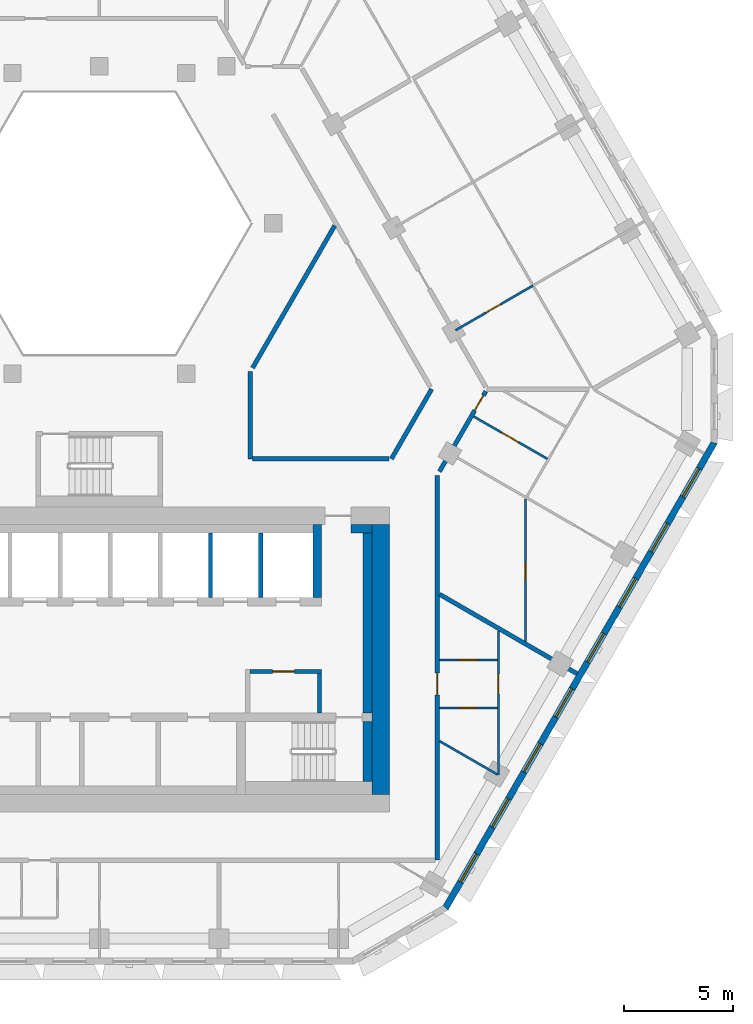
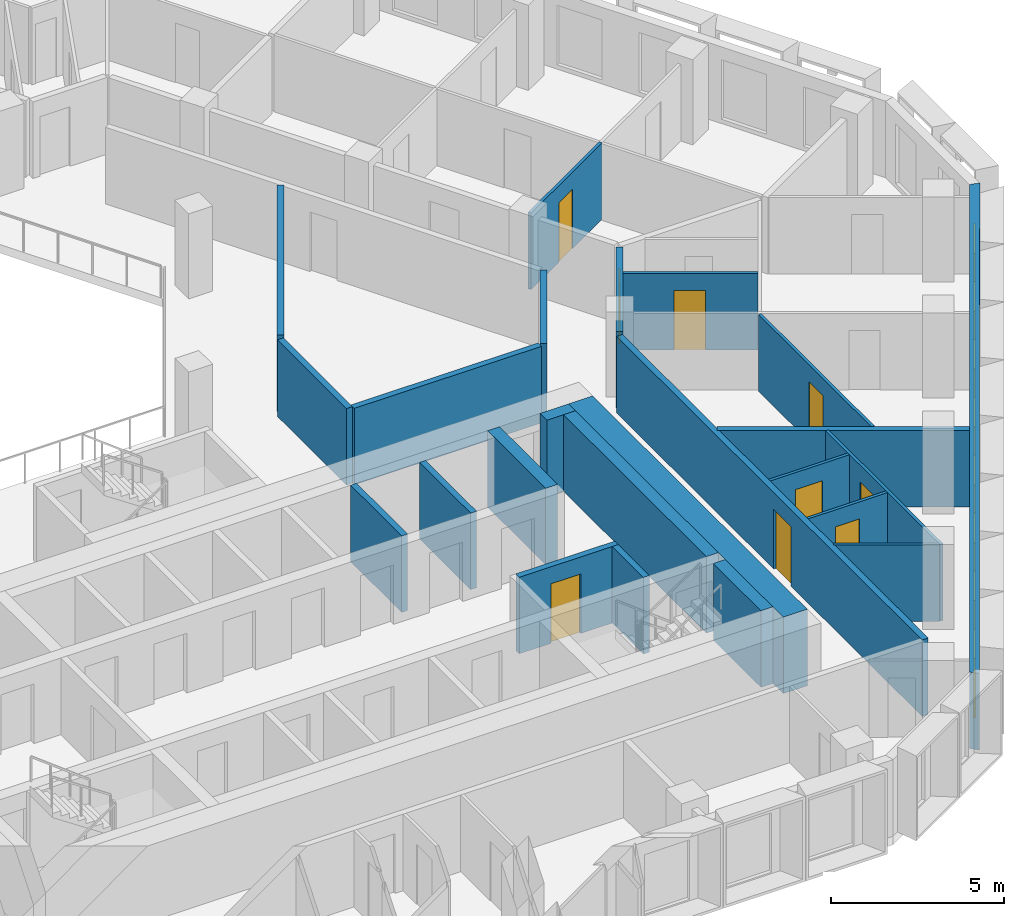
# One storey, part 6 of 17: 24 walls, 9 doors, 8 windows, 17 openings.
"""IFC4 building model written with IfcOpenShell, lengths in metres."""

from ifc_helpers import new_model, si_unit, direction, frame, frame_2d, origin, place, context, subcontext, project, spatial, polyline, rectangle, outline, extrude, material, layer, layer_set, type_object, element, fill, save


model = new_model("IFC4")

# Units and contexts
model_context = context("Model", 3, precision=1e-05, world=origin(), true_north=direction((0.0, 1.0)))
body_context = subcontext(model_context, "Body", "Model", "MODEL_VIEW")
ifc_project = project(units=[si_unit("LENGTHUNIT", "METRE"), si_unit("AREAUNIT", "SQUARE_METRE"), si_unit("VOLUMEUNIT", "CUBIC_METRE"), si_unit("PLANEANGLEUNIT", "RADIAN"), si_unit("MASSUNIT", "GRAM", prefix="KILO")], contexts=[model_context])

# Site, building, storey
site_placement = place(None, origin())
site = spatial("IfcSite", under=ifc_project, at=site_placement, CompositionType="ELEMENT")
building_placement = place(site_placement, origin())
building = spatial("IfcBuilding", under=site, at=building_placement, Name="Beryl Residences", CompositionType="ELEMENT")
storey_placement = place(building_placement, frame((0.0, 0.0, 126.60009765625)))
storey = spatial("IfcBuildingStorey", under=building, at=storey_placement, Name="L38", CompositionType="ELEMENT", Elevation=126.60009765625)

# Wall, openings, windows
ifc_material_1 = material(Name="Composite metal panel with mineral wool insulation")
ifc_layer_1 = layer(ifc_material_1, 0.300048828125)
ifc_layer_set_1 = layer_set([ifc_layer_1], Name="ES1 pale metal composite panel wall 300 mm")
wall_type_1 = type_object("IfcWallType", Name="ES1 pale metal composite panel wall 300 mm", PredefinedType="SOLIDWALL", material=ifc_layer_set_1)
wall_1_placement = place(storey_placement, frame((15.862060546875, -23.425048828125, 0.0), z_axis=(0.0, 0.0, 1.0), x_axis=(0.500017503135, 0.866015298109, 0.0)))
wall_1 = element("IfcWall", 1, at=wall_1_placement, inside=storey, type_object=wall_type_1, Name="ES1 external wall L38 SE", PredefinedType="SOLIDWALL", context=body_context, shape_type="SweptSolid", body=[
    extrude(outline(polyline([(0.0, -0.14990234375), (24.7109375, -0.14990234375), (24.630615234375, 0.14990234375), (0.080322265625, 0.14990234375), (0.0, -0.14990234375)])), origin(), (0.0, 0.0, 1.0), 2.699951171875),
])
opening_1_placement = place(wall_1_placement, frame((1.39990234375, 0.0, 0.14990234375)))
opening_1 = element("IfcOpeningElement", 2, at=opening_1_placement, cuts=wall_1, Name="Opening W1", PredefinedType="OPENING", context=body_context, shape_type="SweptSolid", body=[
    extrude(rectangle(XDim=1.5, YDim=2.10009765625, at=frame_2d((0.75, 1.050048828125))), frame((0.0, 0.159912109375, 0.0), z_axis=(0.0, -1.0, 0.0), x_axis=(1.0, 0.0, 0.0)), (0.0, 0.0, 1.0), 0.320068359375),
])
opening_2_placement = place(wall_1_placement, frame((4.31591796875, 0.0, 0.14990234375)))
opening_2 = element("IfcOpeningElement", 3, at=opening_2_placement, cuts=wall_1, Name="Opening W1", PredefinedType="OPENING", context=body_context, shape_type="SweptSolid", body=[
    extrude(rectangle(XDim=1.5, YDim=2.10009765625, at=frame_2d((0.75, 1.050048828125))), frame((0.0, 0.159912109375, 0.0), z_axis=(0.0, -1.0, 0.0), x_axis=(1.0, 0.0, 0.0)), (0.0, 0.0, 1.0), 0.320068359375),
])
opening_3_placement = place(wall_1_placement, frame((7.23095703125, 0.0, 0.14990234375)))
opening_3 = element("IfcOpeningElement", 4, at=opening_3_placement, cuts=wall_1, Name="Opening W1", PredefinedType="OPENING", context=body_context, shape_type="SweptSolid", body=[
    extrude(rectangle(XDim=1.5, YDim=2.10009765625, at=frame_2d((0.75, 1.050048828125))), frame((0.0, 0.159912109375, 0.0), z_axis=(0.0, -1.0, 0.0), x_axis=(1.0, 0.0, 0.0)), (0.0, 0.0, 1.0), 0.320068359375),
])
opening_4_placement = place(wall_1_placement, frame((10.14697265625, 0.0, 0.14990234375)))
opening_4 = element("IfcOpeningElement", 5, at=opening_4_placement, cuts=wall_1, Name="Opening W1", PredefinedType="OPENING", context=body_context, shape_type="SweptSolid", body=[
    extrude(rectangle(XDim=1.5, YDim=2.10009765625, at=frame_2d((0.75, 1.050048828125))), frame((0.0, 0.159912109375, 0.0), z_axis=(0.0, -1.0, 0.0), x_axis=(1.0, 0.0, 0.0)), (0.0, 0.0, 1.0), 0.320068359375),
])
opening_5_placement = place(wall_1_placement, frame((13.06201171875, 0.0, 0.14990234375)))
opening_5 = element("IfcOpeningElement", 6, at=opening_5_placement, cuts=wall_1, Name="Opening W1", PredefinedType="OPENING", context=body_context, shape_type="SweptSolid", body=[
    extrude(rectangle(XDim=1.5, YDim=2.10009765625, at=frame_2d((0.75, 1.050048828125))), frame((0.0, 0.159912109375, 0.0), z_axis=(0.0, -1.0, 0.0), x_axis=(1.0, 0.0, 0.0)), (0.0, 0.0, 1.0), 0.320068359375),
])
opening_6_placement = place(wall_1_placement, frame((15.97705078125, 0.0, 0.14990234375)))
opening_6 = element("IfcOpeningElement", 7, at=opening_6_placement, cuts=wall_1, Name="Opening W1", PredefinedType="OPENING", context=body_context, shape_type="SweptSolid", body=[
    extrude(rectangle(XDim=1.5, YDim=2.10009765625, at=frame_2d((0.75, 1.050048828125))), frame((0.0, 0.159912109375, 0.0), z_axis=(0.0, -1.0, 0.0), x_axis=(1.0, 0.0, 0.0)), (0.0, 0.0, 1.0), 0.320068359375),
])
opening_7_placement = place(wall_1_placement, frame((18.89306640625, 0.0, 0.14990234375)))
opening_7 = element("IfcOpeningElement", 8, at=opening_7_placement, cuts=wall_1, Name="Opening W1", PredefinedType="OPENING", context=body_context, shape_type="SweptSolid", body=[
    extrude(rectangle(XDim=1.5, YDim=2.10009765625, at=frame_2d((0.75, 1.050048828125))), frame((0.0, 0.159912109375, 0.0), z_axis=(0.0, -1.0, 0.0), x_axis=(1.0, 0.0, 0.0)), (0.0, 0.0, 1.0), 0.320068359375),
])
opening_8_placement = place(wall_1_placement, frame((21.80908203125, 0.0, 0.14990234375)))
opening_8 = element("IfcOpeningElement", 9, at=opening_8_placement, cuts=wall_1, Name="Opening W1", PredefinedType="OPENING", context=body_context, shape_type="SweptSolid", body=[
    extrude(rectangle(XDim=1.5, YDim=2.10009765625, at=frame_2d((0.75, 1.050048828125))), frame((0.0, 0.159912109375, 0.0), z_axis=(0.0, -1.0, 0.0), x_axis=(1.0, 0.0, 0.0)), (0.0, 0.0, 1.0), 0.320068359375),
])
ifc_material_2 = material(Name="Aluminium and clear glass", Category="aluminium")
window_type = type_object("IfcWindowType", Name="W1 cell window 1500 x 2100 mm", PartitioningType="SINGLE_PANEL", PredefinedType="WINDOW", material=ifc_material_2)
window_1_placement = place(opening_1_placement, origin())
window_1 = element("IfcWindow", 10, at=window_1_placement, inside=storey, type_object=window_type, Name="W1 window L38 SE 1", OverallHeight=2.10009765625, OverallWidth=1.5, PartitioningType="SINGLE_PANEL", PredefinedType="WINDOW", context=body_context, shape_type="SweptSolid", body=[
    extrude(rectangle(XDim=1.5, YDim=2.10009765625, at=frame_2d((0.75, 1.050048828125))), frame((0.0, 0.030029296875, 0.0), z_axis=(0.0, -1.0, 0.0), x_axis=(1.0, 0.0, 0.0)), (0.0, 0.0, 1.0), 0.06005859375),
])
fill(opening_1, window_1)
window_2_placement = place(opening_2_placement, origin())
window_2 = element("IfcWindow", 11, at=window_2_placement, inside=storey, type_object=window_type, Name="W1 window L38 SE 2", OverallHeight=2.10009765625, OverallWidth=1.5, PartitioningType="SINGLE_PANEL", PredefinedType="WINDOW", context=body_context, shape_type="SweptSolid", body=[
    extrude(rectangle(XDim=1.5, YDim=2.10009765625, at=frame_2d((0.75, 1.050048828125))), frame((0.0, 0.030029296875, 0.0), z_axis=(0.0, -1.0, 0.0), x_axis=(1.0, 0.0, 0.0)), (0.0, 0.0, 1.0), 0.06005859375),
])
fill(opening_2, window_2)
window_3_placement = place(opening_3_placement, origin())
window_3 = element("IfcWindow", 12, at=window_3_placement, inside=storey, type_object=window_type, Name="W1 window L38 SE 3", OverallHeight=2.10009765625, OverallWidth=1.5, PartitioningType="SINGLE_PANEL", PredefinedType="WINDOW", context=body_context, shape_type="SweptSolid", body=[
    extrude(rectangle(XDim=1.5, YDim=2.10009765625, at=frame_2d((0.75, 1.050048828125))), frame((0.0, 0.030029296875, 0.0), z_axis=(0.0, -1.0, 0.0), x_axis=(1.0, 0.0, 0.0)), (0.0, 0.0, 1.0), 0.06005859375),
])
fill(opening_3, window_3)
window_4_placement = place(opening_4_placement, origin())
window_4 = element("IfcWindow", 13, at=window_4_placement, inside=storey, type_object=window_type, Name="W1 window L38 SE 4", OverallHeight=2.10009765625, OverallWidth=1.5, PartitioningType="SINGLE_PANEL", PredefinedType="WINDOW", context=body_context, shape_type="SweptSolid", body=[
    extrude(rectangle(XDim=1.5, YDim=2.10009765625, at=frame_2d((0.75, 1.050048828125))), frame((0.0, 0.030029296875, 0.0), z_axis=(0.0, -1.0, 0.0), x_axis=(1.0, 0.0, 0.0)), (0.0, 0.0, 1.0), 0.06005859375),
])
fill(opening_4, window_4)
window_5_placement = place(opening_5_placement, origin())
window_5 = element("IfcWindow", 14, at=window_5_placement, inside=storey, type_object=window_type, Name="W1 window L38 SE 5", OverallHeight=2.10009765625, OverallWidth=1.5, PartitioningType="SINGLE_PANEL", PredefinedType="WINDOW", context=body_context, shape_type="SweptSolid", body=[
    extrude(rectangle(XDim=1.5, YDim=2.10009765625, at=frame_2d((0.75, 1.050048828125))), frame((0.0, 0.030029296875, 0.0), z_axis=(0.0, -1.0, 0.0), x_axis=(1.0, 0.0, 0.0)), (0.0, 0.0, 1.0), 0.06005859375),
])
fill(opening_5, window_5)
window_6_placement = place(opening_6_placement, origin())
window_6 = element("IfcWindow", 15, at=window_6_placement, inside=storey, type_object=window_type, Name="W1 window L38 SE 6", OverallHeight=2.10009765625, OverallWidth=1.5, PartitioningType="SINGLE_PANEL", PredefinedType="WINDOW", context=body_context, shape_type="SweptSolid", body=[
    extrude(rectangle(XDim=1.5, YDim=2.10009765625, at=frame_2d((0.75, 1.050048828125))), frame((0.0, 0.030029296875, 0.0), z_axis=(0.0, -1.0, 0.0), x_axis=(1.0, 0.0, 0.0)), (0.0, 0.0, 1.0), 0.06005859375),
])
fill(opening_6, window_6)
window_7_placement = place(opening_7_placement, origin())
window_7 = element("IfcWindow", 16, at=window_7_placement, inside=storey, type_object=window_type, Name="W1 window L38 SE 7", OverallHeight=2.10009765625, OverallWidth=1.5, PartitioningType="SINGLE_PANEL", PredefinedType="WINDOW", context=body_context, shape_type="SweptSolid", body=[
    extrude(rectangle(XDim=1.5, YDim=2.10009765625, at=frame_2d((0.75, 1.050048828125))), frame((0.0, 0.030029296875, 0.0), z_axis=(0.0, -1.0, 0.0), x_axis=(1.0, 0.0, 0.0)), (0.0, 0.0, 1.0), 0.06005859375),
])
fill(opening_7, window_7)
window_8_placement = place(opening_8_placement, origin())
window_8 = element("IfcWindow", 17, at=window_8_placement, inside=storey, type_object=window_type, Name="W1 window L38 SE 8", OverallHeight=2.10009765625, OverallWidth=1.5, PartitioningType="SINGLE_PANEL", PredefinedType="WINDOW", context=body_context, shape_type="SweptSolid", body=[
    extrude(rectangle(XDim=1.5, YDim=2.10009765625, at=frame_2d((0.75, 1.050048828125))), frame((0.0, 0.030029296875, 0.0), z_axis=(0.0, -1.0, 0.0), x_axis=(1.0, 0.0, 0.0)), (0.0, 0.0, 1.0), 0.06005859375),
])
fill(opening_8, window_8)

# Wall
ifc_material_3 = material(Name="Gypsum board partition on steel studs", Category="steel")
ifc_layer_2 = layer(ifc_material_3, 0.10009765625)
ifc_layer_set_2 = layer_set([ifc_layer_2], Name="PT1 partition 100 mm gypsum board on steel studs")
wall_type_2 = type_object("IfcWallType", Name="PT1 partition 100 mm gypsum board on steel studs", PredefinedType="PARTITIONING", material=ifc_layer_set_2)
wall_2_placement = place(storey_placement, frame((15.60009765625, -15.740966796875, 0.0), z_axis=(0.0, 0.0, 1.0), x_axis=(0.866010195725, -0.500026340207, 0.0)))
element("IfcWall", 18, at=wall_2_placement, inside=storey, type_object=wall_type_2, Name="Wall PT1 L38 011", PredefinedType="PARTITIONING", context=body_context, shape_type="SweptSolid", body=[
    extrude(rectangle(XDim=3.059814453125, YDim=0.10009765625, at=frame_2d((1.52978515625, 0.0))), origin(), (0.0, 0.0, 1.0), 2.699951171875),
])

# Wall, opening, door
wall_3_placement = place(storey_placement, frame((17.1708984375, -0.85693359375, 0.0), z_axis=(0.0, 0.0, 1.0), x_axis=(0.867173455867, -0.49800622229, 0.0)))
wall_3 = element("IfcWall", 19, at=wall_3_placement, inside=storey, type_object=wall_type_2, Name="Wall PT1 L38 018", PredefinedType="PARTITIONING", context=body_context, shape_type="SweptSolid", body=[
    extrude(rectangle(XDim=3.89794921875, YDim=0.10009765625, at=frame_2d((1.948974609375, 0.0))), origin(), (0.0, 0.0, 1.0), 2.699951171875),
])
opening_9_placement = place(wall_3_placement, frame((1.47412109375, 0.0, 0.0)))
opening_9 = element("IfcOpeningElement", 20, at=opening_9_placement, cuts=wall_3, Name="Opening D1043", PredefinedType="OPENING", context=body_context, shape_type="SweptSolid", body=[
    extrude(rectangle(XDim=0.89990234375, YDim=2.10009765625, at=frame_2d((0.449951171875, 1.050048828125))), frame((0.0, 0.06005859375, 0.0), z_axis=(0.0, -1.0, 0.0), x_axis=(1.0, 0.0, 0.0)), (0.0, 0.0, 1.0), 0.1201171875),
])
ifc_material_4 = material(Name="Timber door leaf", Category="wood")
door_type_1 = type_object("IfcDoorType", Name="D2 room door 900 x 2100 mm", OperationType="SINGLE_SWING_LEFT", PredefinedType="DOOR", material=ifc_material_4)
door_1_placement = place(opening_9_placement, origin())
door_1 = element("IfcDoor", 21, at=door_1_placement, inside=storey, type_object=door_type_1, Name="Door D1043 L38 001", OperationType="SINGLE_SWING_LEFT", OverallHeight=2.10009765625, OverallWidth=0.89990234375, PredefinedType="DOOR", context=body_context, shape_type="SweptSolid", body=[
    extrude(rectangle(XDim=0.89990234375, YDim=2.10009765625, at=frame_2d((0.449951171875, 1.050048828125))), frame((0.0, 0.02490234375, 0.0), z_axis=(0.0, -1.0, 0.0), x_axis=(1.0, 0.0, 0.0)), (0.0, 0.0, 1.0), 0.050048828125),
])
fill(opening_9, door_1)

wall_4_placement = place(storey_placement, frame((15.60009765625, -12.02490234375, 0.0), z_axis=(0.0, 0.0, 1.0), x_axis=(1.0, 0.0, 0.0)))
wall_4 = element("IfcWall", 22, at=wall_4_placement, inside=storey, type_object=wall_type_2, Name="Wall PT1 L38 022", PredefinedType="PARTITIONING", context=body_context, shape_type="SweptSolid", body=[
    extrude(rectangle(XDim=2.64990234375, YDim=0.10009765625, at=frame_2d((1.324951171875, 0.0))), origin(), (0.0, 0.0, 1.0), 2.699951171875),
])
opening_10_placement = place(wall_4_placement, frame((0.85009765625, 0.0, 0.0)))
opening_10 = element("IfcOpeningElement", 23, at=opening_10_placement, cuts=wall_4, Name="Opening D1038", PredefinedType="OPENING", context=body_context, shape_type="SweptSolid", body=[
    extrude(rectangle(XDim=0.89990234375, YDim=2.10009765625, at=frame_2d((0.449951171875, 1.050048828125))), frame((0.0, 0.06005859375, 0.0), z_axis=(0.0, -1.0, 0.0), x_axis=(1.0, 0.0, 0.0)), (0.0, 0.0, 1.0), 0.1201171875),
])
door_2_placement = place(opening_10_placement, origin())
door_2 = element("IfcDoor", 24, at=door_2_placement, inside=storey, type_object=door_type_1, Name="Door D1038 L38 001", OperationType="SINGLE_SWING_RIGHT", OverallHeight=2.10009765625, OverallWidth=0.89990234375, PredefinedType="DOOR", context=body_context, shape_type="SweptSolid", body=[
    extrude(rectangle(XDim=0.89990234375, YDim=2.10009765625, at=frame_2d((0.449951171875, 1.050048828125))), frame((0.0, 0.02490234375, 0.0), z_axis=(0.0, -1.0, 0.0), x_axis=(1.0, 0.0, 0.0)), (0.0, 0.0, 1.0), 0.050048828125),
])
fill(opening_10, door_2)

wall_5_placement = place(storey_placement, frame((15.60009765625, -14.22509765625, 0.0), z_axis=(0.0, 0.0, 1.0), x_axis=(1.0, 0.0, 0.0)))
wall_5 = element("IfcWall", 25, at=wall_5_placement, inside=storey, type_object=wall_type_2, Name="Wall PT1 L38 023", PredefinedType="PARTITIONING", context=body_context, shape_type="SweptSolid", body=[
    extrude(rectangle(XDim=2.64990234375, YDim=0.10009765625, at=frame_2d((1.324951171875, 0.0))), origin(), (0.0, 0.0, 1.0), 2.699951171875),
])
opening_11_placement = place(wall_5_placement, frame((0.89990234375, 0.0, 0.0)))
opening_11 = element("IfcOpeningElement", 26, at=opening_11_placement, cuts=wall_5, Name="Opening D1037", PredefinedType="OPENING", context=body_context, shape_type="SweptSolid", body=[
    extrude(rectangle(XDim=0.800048828125, YDim=2.10009765625, at=frame_2d((0.39990234375, 1.050048828125))), frame((0.0, 0.06005859375, 0.0), z_axis=(0.0, -1.0, 0.0), x_axis=(1.0, 0.0, 0.0)), (0.0, 0.0, 1.0), 0.1201171875),
])
ifc_material_5 = material(Name="Timber door leaf", Category="wood")
door_type_2 = type_object("IfcDoorType", Name="D3 bathroom door 800 x 2100 mm", OperationType="SINGLE_SWING_LEFT", PredefinedType="DOOR", material=ifc_material_5)
door_3_placement = place(opening_11_placement, origin())
door_3 = element("IfcDoor", 27, at=door_3_placement, inside=storey, type_object=door_type_2, Name="Door D1037 L38 001", OperationType="SINGLE_SWING_LEFT", OverallHeight=2.10009765625, OverallWidth=0.800048828125, PredefinedType="DOOR", context=body_context, shape_type="SweptSolid", body=[
    extrude(rectangle(XDim=0.800048828125, YDim=2.10009765625, at=frame_2d((0.39990234375, 1.050048828125))), frame((0.0, 0.02490234375, 0.0), z_axis=(0.0, -1.0, 0.0), x_axis=(1.0, 0.0, 0.0)), (0.0, 0.0, 1.0), 0.050048828125),
])
fill(opening_11, door_3)

wall_6_placement = place(storey_placement, frame((18.300048828125, -17.300048828125, 0.0), z_axis=(0.0, 0.0, 1.0), x_axis=(0.0, 1.0, 0.0)))
wall_6 = element("IfcWall", 28, at=wall_6_placement, inside=storey, type_object=wall_type_2, Name="Wall PT1 L38 042", PredefinedType="PARTITIONING", context=body_context, shape_type="SweptSolid", body=[
    extrude(rectangle(XDim=6.6181640625, YDim=0.10009765625, at=frame_2d((3.30908203125, 0.0))), origin(), (0.0, 0.0, 1.0), 2.699951171875),
])
opening_12_placement = place(wall_6_placement, frame((3.72509765625, 0.0, 0.0)))
opening_12 = element("IfcOpeningElement", 29, at=opening_12_placement, cuts=wall_6, Name="Opening D1039", PredefinedType="OPENING", context=body_context, shape_type="SweptSolid", body=[
    extrude(rectangle(XDim=0.89990234375, YDim=2.10009765625, at=frame_2d((0.449951171875, 1.050048828125))), frame((0.0, 0.06005859375, 0.0), z_axis=(0.0, -1.0, 0.0), x_axis=(1.0, 0.0, 0.0)), (0.0, 0.0, 1.0), 0.1201171875),
])
door_4_placement = place(opening_12_placement, origin())
door_4 = element("IfcDoor", 30, at=door_4_placement, inside=storey, type_object=door_type_1, Name="Door D1039 L38 001", OperationType="SINGLE_SWING_LEFT", OverallHeight=2.10009765625, OverallWidth=0.89990234375, PredefinedType="DOOR", context=body_context, shape_type="SweptSolid", body=[
    extrude(rectangle(XDim=0.89990234375, YDim=2.10009765625, at=frame_2d((0.449951171875, 1.050048828125))), frame((0.0, 0.02490234375, 0.0), z_axis=(0.0, -1.0, 0.0), x_axis=(1.0, 0.0, 0.0)), (0.0, 0.0, 1.0), 0.050048828125),
])
fill(opening_12, door_4)

wall_7_placement = place(storey_placement, frame((19.547119140625, -11.1708984375, 0.0), z_axis=(0.0, 0.0, 1.0), x_axis=(0.0, 1.0, 0.0)))
wall_7 = element("IfcWall", 31, at=wall_7_placement, inside=storey, type_object=wall_type_2, Name="Wall PT1 L38 043", PredefinedType="PARTITIONING", context=body_context, shape_type="SweptSolid", body=[
    extrude(rectangle(XDim=6.533935546875, YDim=0.10009765625, at=frame_2d((3.26708984375, 0.0))), origin(), (0.0, 0.0, 1.0), 2.699951171875),
])
opening_13_placement = place(wall_7_placement, frame((2.81005859375, 0.0, 0.0)))
opening_13 = element("IfcOpeningElement", 32, at=opening_13_placement, cuts=wall_7, Name="Opening D1048", PredefinedType="OPENING", context=body_context, shape_type="SweptSolid", body=[
    extrude(rectangle(XDim=0.800048828125, YDim=2.10009765625, at=frame_2d((0.39990234375, 1.050048828125))), frame((0.0, 0.06005859375, 0.0), z_axis=(0.0, -1.0, 0.0), x_axis=(1.0, 0.0, 0.0)), (0.0, 0.0, 1.0), 0.1201171875),
])
door_5_placement = place(opening_13_placement, origin())
door_5 = element("IfcDoor", 33, at=door_5_placement, inside=storey, type_object=door_type_2, Name="Door D1048 L38 001", OperationType="SINGLE_SWING_RIGHT", OverallHeight=2.10009765625, OverallWidth=0.800048828125, PredefinedType="DOOR", context=body_context, shape_type="SweptSolid", body=[
    extrude(rectangle(XDim=0.800048828125, YDim=2.10009765625, at=frame_2d((0.39990234375, 1.050048828125))), frame((0.0, 0.02490234375, 0.0), z_axis=(0.0, -1.0, 0.0), x_axis=(1.0, 0.0, 0.0)), (0.0, 0.0, 1.0), 0.050048828125),
])
fill(opening_13, door_5)

wall_8_placement = place(storey_placement, frame((16.339111328125, 3.10009765625, 0.0), z_axis=(0.0, 0.0, 1.0), x_axis=(0.866050731258, 0.499956128963, 0.0)))
wall_8 = element("IfcWall", 34, at=wall_8_placement, inside=storey, type_object=wall_type_2, Name="Wall PT1 L38 050", PredefinedType="PARTITIONING", context=body_context, shape_type="SweptSolid", body=[
    extrude(rectangle(XDim=4.099853515625, YDim=0.10009765625, at=frame_2d((2.0498046875, 0.0))), origin(), (0.0, 0.0, 1.0), 2.699951171875),
])
opening_14_placement = place(wall_8_placement, frame((1.60009765625, 0.0, 0.0)))
opening_14 = element("IfcOpeningElement", 35, at=opening_14_placement, cuts=wall_8, Name="Opening D1051", PredefinedType="OPENING", context=body_context, shape_type="SweptSolid", body=[
    extrude(rectangle(XDim=0.800048828125, YDim=2.10009765625, at=frame_2d((0.39990234375, 1.050048828125))), frame((0.0, 0.06005859375, 0.0), z_axis=(0.0, -1.0, 0.0), x_axis=(1.0, 0.0, 0.0)), (0.0, 0.0, 1.0), 0.1201171875),
])
door_6_placement = place(opening_14_placement, origin())
door_6 = element("IfcDoor", 36, at=door_6_placement, inside=storey, type_object=door_type_2, Name="Door D1051 L38 001", OperationType="SINGLE_SWING_LEFT", OverallHeight=2.10009765625, OverallWidth=0.800048828125, PredefinedType="DOOR", context=body_context, shape_type="SweptSolid", body=[
    extrude(rectangle(XDim=0.800048828125, YDim=2.10009765625, at=frame_2d((0.39990234375, 1.050048828125))), frame((0.0, 0.02490234375, 0.0), z_axis=(0.0, -1.0, 0.0), x_axis=(1.0, 0.0, 0.0)), (0.0, 0.0, 1.0), 0.050048828125),
])
fill(opening_14, door_6)

ifc_material_6 = material(Name="Concrete masonry", Category="masonry")
ifc_layer_3 = layer(ifc_material_6, 0.199951171875)
ifc_layer_set_3 = layer_set([ifc_layer_3], Name="PT13 lobby wall 200 mm")
wall_type_3 = type_object("IfcWallType", Name="PT13 lobby wall 200 mm", PredefinedType="PARTITIONING", material=ifc_layer_set_3)
wall_9_placement = place(storey_placement, frame((6.89990234375, -12.550048828125, 0.0), z_axis=(0.0, 0.0, 1.0), x_axis=(1.0, 0.0, 0.0)))
wall_9 = element("IfcWall", 37, at=wall_9_placement, inside=storey, type_object=wall_type_3, Name="Lobby wall 24", PredefinedType="PARTITIONING", context=body_context, shape_type="SweptSolid", body=[
    extrude(rectangle(XDim=3.300048828125, YDim=0.199951171875, at=frame_2d((1.64990234375, 0.0))), origin(), (0.0, 0.0, 1.0), 2.699951171875),
])
opening_15_placement = place(wall_9_placement, frame((2.050048828125, 0.0, 0.0), z_axis=(0.0, 0.0, 1.0), x_axis=(-1.0, 0.0, 0.0)))
opening_15 = element("IfcOpeningElement", 38, at=opening_15_placement, cuts=wall_9, Name="Opening CD-D-A1", PredefinedType="OPENING", context=body_context, shape_type="SweptSolid", body=[
    extrude(rectangle(XDim=1.0, YDim=2.10009765625, at=frame_2d((0.5, 1.050048828125))), frame((0.0, 0.10986328125, 0.0), z_axis=(0.0, -1.0, 0.0), x_axis=(1.0, 0.0, 0.0)), (0.0, 0.0, 1.0), 0.219970703125),
])
ifc_material_7 = material(Name="Steel door leaf in steel frame", Category="steel")
door_type_3 = type_object("IfcDoorType", Name="D18 service room door 1000 x 2100 mm", OperationType="SINGLE_SWING_LEFT", PredefinedType="DOOR", material=ifc_material_7)
door_7_placement = place(opening_15_placement, origin())
door_7 = element("IfcDoor", 39, at=door_7_placement, inside=storey, type_object=door_type_3, Name="Door CD-D-A1 L38 001", OperationType="SINGLE_SWING_RIGHT", OverallHeight=2.10009765625, OverallWidth=1.0, PredefinedType="DOOR", context=body_context, shape_type="SweptSolid", body=[
    extrude(rectangle(XDim=1.0, YDim=2.10009765625, at=frame_2d((0.5, 1.050048828125))), frame((0.0, 0.02490234375, 0.0), z_axis=(0.0, -1.0, 0.0), x_axis=(1.0, 0.0, 0.0)), (0.0, 0.0, 1.0), 0.050048828125),
])
fill(opening_15, door_7)

# Walls
wall_10_placement = place(storey_placement, frame((10.10009765625, -14.449951171875, 0.0), z_axis=(0.0, 0.0, 1.0), x_axis=(0.0, 1.0, 0.0)))
element("IfcWall", 40, at=wall_10_placement, inside=storey, type_object=wall_type_3, Name="Lobby wall 26", PredefinedType="PARTITIONING", context=body_context, shape_type="SweptSolid", body=[
    extrude(rectangle(XDim=1.800048828125, YDim=0.199951171875, at=frame_2d((0.89990234375, 0.0))), origin(), (0.0, 0.0, 1.0), 2.699951171875),
])
ifc_material_8 = material(Name="Concrete masonry", Category="masonry")
ifc_layer_4 = layer(ifc_material_8, 0.39990234375)
ifc_layer_set_4 = layer_set([ifc_layer_4], Name="PT13-400 lobby wall 400 mm")
wall_type_4 = type_object("IfcWallType", Name="PT13-400 lobby wall 400 mm", PredefinedType="PARTITIONING", material=ifc_layer_set_4)
wall_11_placement = place(storey_placement, frame((11.550048828125, -6.0, 0.0), z_axis=(0.0, 0.0, 1.0), x_axis=(1.0, 0.0, 0.0)))
element("IfcWall", 41, at=wall_11_placement, inside=storey, type_object=wall_type_4, Name="Lobby wall 27", PredefinedType="PARTITIONING", context=body_context, shape_type="SweptSolid", body=[
    extrude(rectangle(XDim=0.949951171875, YDim=0.39990234375, at=frame_2d((0.47509765625, 0.0))), origin(), (0.0, 0.0, 1.0), 2.699951171875),
])
wall_12_placement = place(storey_placement, frame((12.300048828125, -14.449951171875, 0.0), z_axis=(0.0, 0.0, 1.0), x_axis=(0.0, 1.0, 0.0)))
element("IfcWall", 42, at=wall_12_placement, inside=storey, type_object=wall_type_4, Name="Lobby wall 29", PredefinedType="PARTITIONING", context=body_context, shape_type="SweptSolid", body=[
    extrude(rectangle(XDim=8.25, YDim=0.39990234375, at=frame_2d((4.125, 0.0))), origin(), (0.0, 0.0, 1.0), 2.699951171875),
])
ifc_material_9 = material(Name="Acoustic double stud gypsum board wall")
ifc_layer_5 = layer(ifc_material_9, 0.199951171875)
ifc_layer_set_5 = layer_set([ifc_layer_5], Name="PT3 party wall 200 mm acoustic double stud")
wall_type_5 = type_object("IfcWallType", Name="PT3 party wall 200 mm acoustic double stud", PredefinedType="PARTITIONING", material=ifc_layer_set_5)
wall_13_placement = place(storey_placement, frame((15.60009765625, -9.008056640625, 0.0), z_axis=(0.0, 0.0, 1.0), x_axis=(0.866034366408, -0.499984475959, 0.0)))
element("IfcWall", 43, at=wall_13_placement, inside=storey, type_object=wall_type_5, Name="Wall PT3 L38 004", PredefinedType="PARTITIONING", context=body_context, shape_type="SweptSolid", body=[
    extrude(rectangle(XDim=7.285888671875, YDim=0.199951171875, at=frame_2d((3.64306640625, 0.0))), origin(), (0.0, 0.0, 1.0), 2.699951171875),
])
ifc_material_10 = material(Name="Double stud gypsum board wall")
ifc_layer_6 = layer(ifc_material_10, 0.199951171875)
ifc_layer_set_6 = layer_set([ifc_layer_6], Name="PT4 corridor wall 200 mm double stud")
wall_type_6 = type_object("IfcWallType", Name="PT4 corridor wall 200 mm double stud", PredefinedType="PARTITIONING", material=ifc_layer_set_6)
wall_14_placement = place(storey_placement, frame((7.028076171875, -2.800048828125, 0.0), z_axis=(0.0, 0.0, 1.0), x_axis=(1.0, 0.0, 0.0)))
element("IfcWall", 44, at=wall_14_placement, inside=storey, type_object=wall_type_6, Name="Wall PT4 L38 013", PredefinedType="PARTITIONING", context=body_context, shape_type="SweptSolid", body=[
    extrude(rectangle(XDim=6.25, YDim=0.199951171875, at=frame_2d((3.125, 0.0))), origin(), (0.0, 0.0, 1.0), 2.699951171875),
])
wall_15_placement = place(storey_placement, frame((7.028076171875, 1.373046875, 0.0), z_axis=(0.0, 0.0, 1.0), x_axis=(0.499954271211, 0.866051803703, 0.0)))
element("IfcWall", 45, at=wall_15_placement, inside=storey, type_object=wall_type_6, Name="Wall PT4 L38 017", PredefinedType="PARTITIONING", context=body_context, shape_type="SweptSolid", body=[
    extrude(rectangle(XDim=7.536376953125, YDim=0.199951171875, at=frame_2d((3.76806640625, 0.0))), origin(), (0.0, 0.0, 1.0), 2.699951171875),
])
wall_16_placement = place(storey_placement, frame((13.39404296875, -2.800048828125, 0.0), z_axis=(0.0, 0.0, 1.0), x_axis=(0.499968324138, 0.866043691079, 0.0)))
element("IfcWall", 46, at=wall_16_placement, inside=storey, type_object=wall_type_6, Name="Wall PT4 L38 018", PredefinedType="PARTITIONING", context=body_context, shape_type="SweptSolid", body=[
    extrude(rectangle(XDim=3.696044921875, YDim=0.199951171875, at=frame_2d((1.84814453125, 0.0))), origin(), (0.0, 0.0, 1.0), 2.699951171875),
])

# Wall, opening, door
wall_17_placement = place(storey_placement, frame((15.60009765625, -3.37890625, 0.0), z_axis=(0.0, 0.0, 1.0), x_axis=(0.499896543382, 0.866085126252, 0.0)))
wall_17 = element("IfcWall", 47, at=wall_17_placement, inside=storey, type_object=wall_type_6, Name="Wall PT4 L38 019", PredefinedType="PARTITIONING", context=body_context, shape_type="SweptSolid", body=[
    extrude(rectangle(XDim=4.2490234375, YDim=0.199951171875, at=frame_2d((2.12451171875, 0.0))), origin(), (0.0, 0.0, 1.0), 2.699951171875),
])
opening_16_placement = place(wall_17_placement, frame((3.23193359375, 0.0, 0.0)))
opening_16 = element("IfcOpeningElement", 48, at=opening_16_placement, cuts=wall_17, Name="Opening D1042", PredefinedType="OPENING", context=body_context, shape_type="SweptSolid", body=[
    extrude(rectangle(XDim=0.800048828125, YDim=2.10009765625, at=frame_2d((0.39990234375, 1.050048828125))), frame((0.0, 0.10986328125, 0.0), z_axis=(0.0, -1.0, 0.0), x_axis=(1.0, 0.0, 0.0)), (0.0, 0.0, 1.0), 0.219970703125),
])
ifc_material_11 = material(Name="Timber door leaf", Category="wood")
door_type_4 = type_object("IfcDoorType", Name="D12 flat entrance door 800 x 2100 mm", OperationType="SINGLE_SWING_LEFT", PredefinedType="DOOR", material=ifc_material_11)
door_8_placement = place(opening_16_placement, origin())
door_8 = element("IfcDoor", 49, at=door_8_placement, inside=storey, type_object=door_type_4, Name="Door D1042 L38 001", OperationType="SINGLE_SWING_RIGHT", OverallHeight=2.10009765625, OverallWidth=0.800048828125, PredefinedType="DOOR", context=body_context, shape_type="SweptSolid", body=[
    extrude(rectangle(XDim=0.800048828125, YDim=2.10009765625, at=frame_2d((0.39990234375, 1.050048828125))), frame((0.0, 0.02490234375, 0.0), z_axis=(0.0, -1.0, 0.0), x_axis=(1.0, 0.0, 0.0)), (0.0, 0.0, 1.0), 0.050048828125),
])
fill(opening_16, door_8)

# Wall
wall_18_placement = place(storey_placement, frame((6.927978515625, -2.800048828125, 0.0), z_axis=(0.0, 0.0, 1.0), x_axis=(0.0, 1.0, 0.0)))
element("IfcWall", 50, at=wall_18_placement, inside=storey, type_object=wall_type_6, Name="Wall PT4 L38 023", PredefinedType="PARTITIONING", context=body_context, shape_type="SweptSolid", body=[
    extrude(rectangle(XDim=4.0, YDim=0.199951171875, at=frame_2d((2.0, 0.0))), origin(), (0.0, 0.0, 1.0), 2.699951171875),
])

# Wall, opening, door
wall_19_placement = place(storey_placement, frame((15.5, -21.199951171875, 0.0), z_axis=(0.0, 0.0, 1.0), x_axis=(0.0, 1.0, 0.0)))
wall_19 = element("IfcWall", 51, at=wall_19_placement, inside=storey, type_object=wall_type_6, Name="Wall PT4 L38 024", PredefinedType="PARTITIONING", context=body_context, shape_type="SweptSolid", body=[
    extrude(rectangle(XDim=17.64794921875, YDim=0.199951171875, at=frame_2d((8.823974609375, 0.0))), origin(), (0.0, 0.0, 1.0), 2.699951171875),
])
opening_17_placement = place(wall_19_placement, frame((7.574951171875, 0.0, 0.0)))
opening_17 = element("IfcOpeningElement", 52, at=opening_17_placement, cuts=wall_19, Name="Opening D1036", PredefinedType="OPENING", context=body_context, shape_type="SweptSolid", body=[
    extrude(rectangle(XDim=1.0, YDim=2.10009765625, at=frame_2d((0.5, 1.050048828125))), frame((0.0, 0.10986328125, 0.0), z_axis=(0.0, -1.0, 0.0), x_axis=(1.0, 0.0, 0.0)), (0.0, 0.0, 1.0), 0.219970703125),
])
ifc_material_12 = material(Name="Timber door leaf", Category="wood")
door_type_5 = type_object("IfcDoorType", Name="D1 flat entrance door 1000 x 2100 mm", OperationType="SINGLE_SWING_LEFT", PredefinedType="DOOR", material=ifc_material_12)
door_9_placement = place(opening_17_placement, origin())
door_9 = element("IfcDoor", 53, at=door_9_placement, inside=storey, type_object=door_type_5, Name="Door D1036 L38 001", OperationType="SINGLE_SWING_RIGHT", OverallHeight=2.10009765625, OverallWidth=1.0, PredefinedType="DOOR", context=body_context, shape_type="SweptSolid", body=[
    extrude(rectangle(XDim=1.0, YDim=2.10009765625, at=frame_2d((0.5, 1.050048828125))), frame((0.0, 0.02490234375, 0.0), z_axis=(0.0, -1.0, 0.0), x_axis=(1.0, 0.0, 0.0)), (0.0, 0.0, 1.0), 0.050048828125),
])
fill(opening_17, door_9)

# Walls
ifc_material_13 = material(Name="Concrete C40/50", Category="concrete")
ifc_layer_7 = layer(ifc_material_13, 0.39990234375)
ifc_layer_set_7 = layer_set([ifc_layer_7], Name="PT5-400 stair enclosure wall 400 mm")
wall_type_7 = type_object("IfcWallType", Name="PT5-400 stair enclosure wall 400 mm", PredefinedType="SOLIDWALL", material=ifc_layer_set_7)
wall_20_placement = place(storey_placement, frame((12.300048828125, -17.60009765625, 0.0), z_axis=(0.0, 0.0, 1.0), x_axis=(0.0, 1.0, 0.0)))
element("IfcWall", 54, at=wall_20_placement, inside=storey, type_object=wall_type_7, Name="Stair wall 28", PredefinedType="SOLIDWALL", context=body_context, shape_type="SweptSolid", body=[
    extrude(rectangle(XDim=2.75, YDim=0.39990234375, at=frame_2d((1.375, 0.0))), origin(), (0.0, 0.0, 1.0), 2.699951171875),
])
ifc_material_14 = material(Name="Concrete C40/50", Category="concrete")
ifc_layer_8 = layer(ifc_material_14, 0.199951171875)
ifc_layer_set_8 = layer_set([ifc_layer_8], Name="PT6 lift shaft wall 200 mm reinforced concrete C40/50")
wall_type_8 = type_object("IfcWallType", Name="PT6 lift shaft wall 200 mm reinforced concrete C40/50", PredefinedType="SOLIDWALL", material=ifc_layer_set_8)
for number, where, z_axis, x_axis, name in (
    (55, (5.10009765625, -9.14990234375, 0.0), (0.0, 0.0, 1.0), (0.0, 1.0, 0.0), "Lift shaft wall 21"),
    (56, (7.39990234375, -9.14990234375, 0.0), (0.0, 0.0, 1.0), (0.0, 1.0, 0.0), "Lift shaft wall 25"),
):
    element("IfcWall", number, at=place(storey_placement, frame(where, z_axis=z_axis, x_axis=x_axis)), inside=storey, type_object=wall_type_8, Name=name, PredefinedType="SOLIDWALL", context=body_context, shape_type="SweptSolid", body=[
        extrude(rectangle(XDim=2.949951171875, YDim=0.199951171875, at=frame_2d((1.47509765625, 0.0))), origin(), (0.0, 0.0, 1.0), 2.699951171875),
    ])
ifc_material_15 = material(Name="Concrete C60/75", Category="concrete")
ifc_layer_9 = layer(ifc_material_15, 0.800048828125)
ifc_layer_set_9 = layer_set([ifc_layer_9], Name="SW3 core outer wall 800 mm C60/75")
wall_type_9 = type_object("IfcWallType", Name="SW3 core outer wall 800 mm C60/75", PredefinedType="SHEAR", material=ifc_layer_set_9)
wall_21_placement = place(storey_placement, frame((12.89990234375, -18.199951171875, 0.0), z_axis=(0.0, 0.0, 1.0), x_axis=(0.0, 1.0, 0.0)))
element("IfcWall", 57, at=wall_21_placement, inside=storey, type_object=wall_type_9, Name="Core wall E L38", PredefinedType="SHEAR", context=body_context, shape_type="SweptSolid", body=[
    extrude(rectangle(XDim=12.39990234375, YDim=0.800048828125, at=frame_2d((6.199951171875, 0.0))), origin(), (0.0, 0.0, 1.0), 2.699951171875),
])
ifc_material_16 = material(Name="Concrete C60/75", Category="concrete")
ifc_layer_10 = layer(ifc_material_16, 0.39990234375)
ifc_layer_set_10 = layer_set([ifc_layer_10], Name="SW8 core internal wall 400 mm C60/75")
wall_type_10 = type_object("IfcWallType", Name="SW8 core internal wall 400 mm C60/75", PredefinedType="SHEAR", material=ifc_layer_set_10)
wall_22_placement = place(storey_placement, frame((10.0, -9.14990234375, 0.0), z_axis=(0.0, 0.0, 1.0), x_axis=(0.0, 1.0, 0.0)))
element("IfcWall", 58, at=wall_22_placement, inside=storey, type_object=wall_type_10, Name="Core wall XN2 L38", PredefinedType="SHEAR", context=body_context, shape_type="SweptSolid", body=[
    extrude(rectangle(XDim=3.349853515625, YDim=0.39990234375, at=frame_2d((1.6748046875, 0.0))), origin(), (0.0, 0.0, 1.0), 2.699951171875),
])

save(model, "model.ifc")
